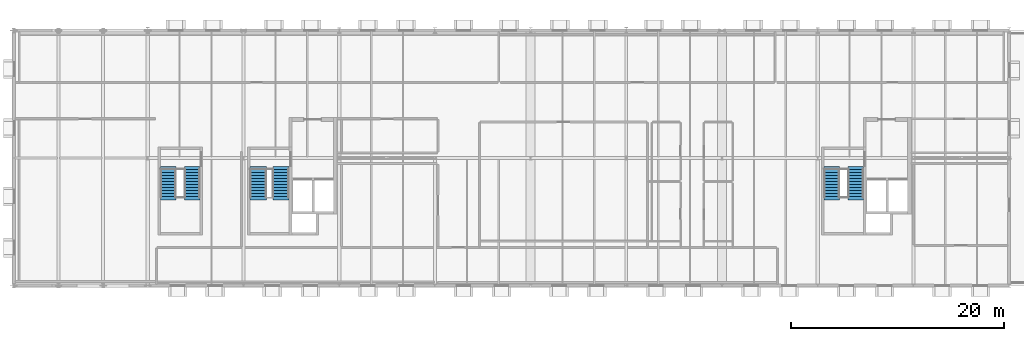
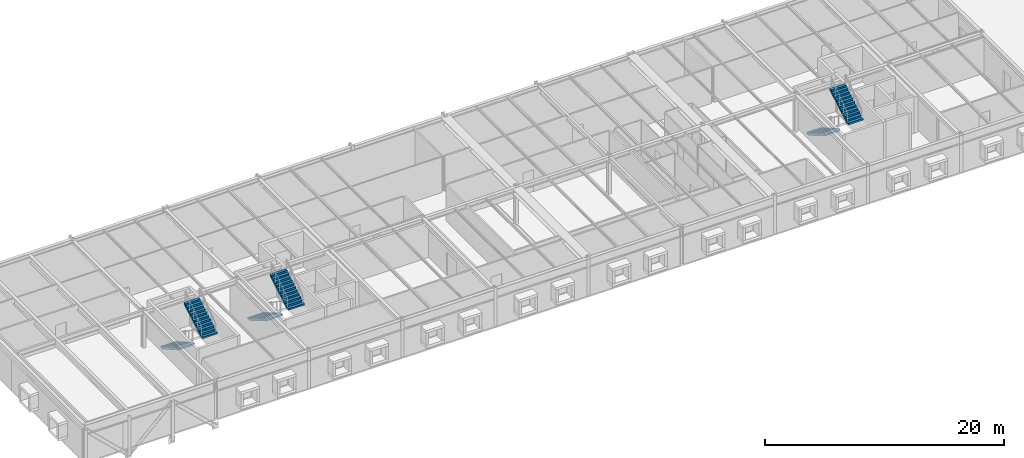
# One storey, part 15 of 17: 6 stair flights, 3 elements without a shape of their own.
"""IFC4 building model written with IfcOpenShell, lengths in metres."""

from ifc_helpers import new_model, si_unit, direction, frame, origin, place, context, subcontext, project, spatial, polyline, outline, extrude, material, type_object, element, aggregate, save


model = new_model("IFC4")

# Units and contexts
model_context = context("Model", 3, precision=1e-05, world=origin(), true_north=direction((0.0, 1.0)))
body_context = subcontext(model_context, "Body", "Model", "MODEL_VIEW")
ifc_project = project(units=[si_unit("LENGTHUNIT", "METRE"), si_unit("AREAUNIT", "SQUARE_METRE"), si_unit("VOLUMEUNIT", "CUBIC_METRE"), si_unit("PLANEANGLEUNIT", "RADIAN"), si_unit("MASSUNIT", "GRAM", prefix="KILO")], contexts=[model_context])

# Site, building, storey
site_placement = place(None, origin())
site = spatial("IfcSite", under=ifc_project, at=site_placement, CompositionType="ELEMENT")
building_placement = place(site_placement, origin())
building = spatial("IfcBuilding", under=site, at=building_placement, Name="Montelvaro Courts of Justice", CompositionType="ELEMENT")
storey_placement = place(building_placement, frame((0.0, 0.0, 27.39990234375)))
storey = spatial("IfcBuildingStorey", under=building, at=storey_placement, Name="L06", CompositionType="ELEMENT", Elevation=27.39990234375)

# Stair, stair flights
ifc_material = material(Name="Concrete C35/45", Category="concrete")
stair_type_1 = type_object("IfcStairType", Name="ProtectedStair_145", PredefinedType="HALF_TURN_STAIR", material=ifc_material)
stair_1_placement = place(storey_placement, origin())
stair_1 = element("IfcStair", 1, at=stair_1_placement, inside=storey, type_object=stair_type_1, Name="Protected Stair ST-K2-L06", PredefinedType="HALF_TURN_STAIR")
stair_flight_type_1 = type_object("IfcStairFlightType", Name="StairFlight_145", PredefinedType="STRAIGHT", material=ifc_material)
stair_flight_1_placement = place(storey_placement, frame((109.324951171875, 11.219970703125, 0.0), z_axis=(0.0, 0.0, 1.0), x_axis=(0.0, -1.0, 0.0)))
stair_flight_1 = element("IfcStairFlight", 2, at=stair_flight_1_placement, type_object=stair_flight_type_1, Name="ST-K2-L06 flight 1", NumberOfRisers=12, NumberOfTreads=11, PredefinedType="STRAIGHT", RiserHeight=0.166666667, TreadLength=0.285, context=body_context, shape_type="SweptSolid", body=[
    extrude(outline(polyline([(0.0, 0.0), (0.0, 0.166748046875), (0.284912109375, 0.166748046875), (0.284912109375, 0.333251953125), (0.570068359375, 0.333251953125), (0.570068359375, 0.5), (0.85498046875, 0.5), (0.85498046875, 0.666748046875), (1.139892578125, 0.666748046875), (1.139892578125, 0.833251953125), (1.425048828125, 0.833251953125), (1.425048828125, 1.0), (1.7099609375, 1.0), (1.7099609375, 1.166748046875), (1.9951171875, 1.166748046875), (1.9951171875, 1.333251953125), (2.280029296875, 1.333251953125), (2.280029296875, 1.5), (2.56494140625, 1.5), (2.56494140625, 1.666748046875), (2.85009765625, 1.666748046875), (2.85009765625, 1.833251953125), (3.135009765625, 1.833251953125), (3.135009765625, 2.0), (3.135009765625, 1.648193359375), (0.31689453125, 0.0), (0.0, 0.0)])), frame((0.0, 0.72509765625, 0.0), z_axis=(0.0, -1.0, 0.0), x_axis=(1.0, 0.0, 0.0)), (0.0, 0.0, 1.0), 1.449951171875),
])
stair_flight_2_placement = place(storey_placement, frame((111.574951171875, 8.0849609375, 2.0), z_axis=(0.0, 0.0, 1.0), x_axis=(0.0, 1.0, 0.0)))
stair_flight_2 = element("IfcStairFlight", 3, at=stair_flight_2_placement, type_object=stair_flight_type_1, Name="ST-K2-L06 flight 2", NumberOfRisers=12, NumberOfTreads=11, PredefinedType="STRAIGHT", RiserHeight=0.166666667, TreadLength=0.285, context=body_context, shape_type="SweptSolid", body=[
    extrude(outline(polyline([(0.0, 0.0), (0.0, 0.166748046875), (0.284912109375, 0.166748046875), (0.284912109375, 0.333251953125), (0.570068359375, 0.333251953125), (0.570068359375, 0.5), (0.85498046875, 0.5), (0.85498046875, 0.666748046875), (1.139892578125, 0.666748046875), (1.139892578125, 0.833251953125), (1.425048828125, 0.833251953125), (1.425048828125, 1.0), (1.7099609375, 1.0), (1.7099609375, 1.166748046875), (1.9951171875, 1.166748046875), (1.9951171875, 1.333251953125), (2.280029296875, 1.333251953125), (2.280029296875, 1.5), (2.56494140625, 1.5), (2.56494140625, 1.666748046875), (2.85009765625, 1.666748046875), (2.85009765625, 1.833251953125), (3.135009765625, 1.833251953125), (3.135009765625, 2.0), (3.135009765625, 1.648193359375), (0.31689453125, 0.0), (0.0, 0.0)])), frame((0.0, 0.72509765625, 0.0), z_axis=(0.0, -1.0, 0.0), x_axis=(1.0, 0.0, 0.0)), (0.0, 0.0, 1.0), 1.449951171875),
])
aggregate(stair_1, [stair_flight_1, stair_flight_2])

stair_2_placement = place(storey_placement, origin())
stair_2 = element("IfcStair", 4, at=stair_2_placement, inside=storey, type_object=stair_type_1, Name="Protected Stair ST-E1-L06", PredefinedType="HALF_TURN_STAIR")
stair_flight_3_placement = place(storey_placement, frame((46.925048828125, 11.219970703125, 0.0), z_axis=(0.0, 0.0, 1.0), x_axis=(0.0, -1.0, 0.0)))
stair_flight_3 = element("IfcStairFlight", 5, at=stair_flight_3_placement, type_object=stair_flight_type_1, Name="ST-E1-L06 flight 1", NumberOfRisers=12, NumberOfTreads=11, PredefinedType="STRAIGHT", RiserHeight=0.166666667, TreadLength=0.285, context=body_context, shape_type="SweptSolid", body=[
    extrude(outline(polyline([(0.0, 0.0), (0.0, 0.166748046875), (0.284912109375, 0.166748046875), (0.284912109375, 0.333251953125), (0.570068359375, 0.333251953125), (0.570068359375, 0.5), (0.85498046875, 0.5), (0.85498046875, 0.666748046875), (1.139892578125, 0.666748046875), (1.139892578125, 0.833251953125), (1.425048828125, 0.833251953125), (1.425048828125, 1.0), (1.7099609375, 1.0), (1.7099609375, 1.166748046875), (1.9951171875, 1.166748046875), (1.9951171875, 1.333251953125), (2.280029296875, 1.333251953125), (2.280029296875, 1.5), (2.56494140625, 1.5), (2.56494140625, 1.666748046875), (2.85009765625, 1.666748046875), (2.85009765625, 1.833251953125), (3.135009765625, 1.833251953125), (3.135009765625, 2.0), (3.135009765625, 1.648193359375), (0.31689453125, 0.0), (0.0, 0.0)])), frame((0.0, 0.72509765625, 0.0), z_axis=(0.0, -1.0, 0.0), x_axis=(1.0, 0.0, 0.0)), (0.0, 0.0, 1.0), 1.449951171875),
])
stair_flight_4_placement = place(storey_placement, frame((49.175048828125, 8.0849609375, 2.0), z_axis=(0.0, 0.0, 1.0), x_axis=(0.0, 1.0, 0.0)))
stair_flight_4 = element("IfcStairFlight", 6, at=stair_flight_4_placement, type_object=stair_flight_type_1, Name="ST-E1-L06 flight 2", NumberOfRisers=12, NumberOfTreads=11, PredefinedType="STRAIGHT", RiserHeight=0.166666667, TreadLength=0.285, context=body_context, shape_type="SweptSolid", body=[
    extrude(outline(polyline([(0.0, 0.0), (0.0, 0.166748046875), (0.284912109375, 0.166748046875), (0.284912109375, 0.333251953125), (0.570068359375, 0.333251953125), (0.570068359375, 0.5), (0.85498046875, 0.5), (0.85498046875, 0.666748046875), (1.139892578125, 0.666748046875), (1.139892578125, 0.833251953125), (1.425048828125, 0.833251953125), (1.425048828125, 1.0), (1.7099609375, 1.0), (1.7099609375, 1.166748046875), (1.9951171875, 1.166748046875), (1.9951171875, 1.333251953125), (2.280029296875, 1.333251953125), (2.280029296875, 1.5), (2.56494140625, 1.5), (2.56494140625, 1.666748046875), (2.85009765625, 1.666748046875), (2.85009765625, 1.833251953125), (3.135009765625, 1.833251953125), (3.135009765625, 2.0), (3.135009765625, 1.648193359375), (0.31689453125, 0.0), (0.0, 0.0)])), frame((0.0, 0.72509765625, 0.0), z_axis=(0.0, -1.0, 0.0), x_axis=(1.0, 0.0, 0.0)), (0.0, 0.0, 1.0), 1.449951171875),
])
aggregate(stair_2, [stair_flight_3, stair_flight_4])

stair_type_2 = type_object("IfcStairType", Name="ProtectedStair_155", PredefinedType="HALF_TURN_STAIR", material=ifc_material)
stair_3_placement = place(storey_placement, origin())
stair_3 = element("IfcStair", 7, at=stair_3_placement, inside=storey, type_object=stair_type_2, Name="Protected Stair ST-K1-L06", PredefinedType="HALF_TURN_STAIR")
stair_flight_type_2 = type_object("IfcStairFlightType", Name="StairFlight_155", PredefinedType="STRAIGHT", material=ifc_material)
stair_flight_5_placement = place(storey_placement, frame((55.375, 11.219970703125, 0.0), z_axis=(0.0, 0.0, 1.0), x_axis=(0.0, -1.0, 0.0)))
stair_flight_5 = element("IfcStairFlight", 8, at=stair_flight_5_placement, type_object=stair_flight_type_2, Name="ST-K1-L06 flight 1", NumberOfRisers=12, NumberOfTreads=11, PredefinedType="STRAIGHT", RiserHeight=0.166666667, TreadLength=0.285, context=body_context, shape_type="SweptSolid", body=[
    extrude(outline(polyline([(0.0, 0.0), (0.0, 0.166748046875), (0.284912109375, 0.166748046875), (0.284912109375, 0.333251953125), (0.570068359375, 0.333251953125), (0.570068359375, 0.5), (0.85498046875, 0.5), (0.85498046875, 0.666748046875), (1.139892578125, 0.666748046875), (1.139892578125, 0.833251953125), (1.425048828125, 0.833251953125), (1.425048828125, 1.0), (1.7099609375, 1.0), (1.7099609375, 1.166748046875), (1.9951171875, 1.166748046875), (1.9951171875, 1.333251953125), (2.280029296875, 1.333251953125), (2.280029296875, 1.5), (2.56494140625, 1.5), (2.56494140625, 1.666748046875), (2.85009765625, 1.666748046875), (2.85009765625, 1.833251953125), (3.135009765625, 1.833251953125), (3.135009765625, 2.0), (3.135009765625, 1.648193359375), (0.31689453125, 0.0), (0.0, 0.0)])), frame((0.0, 0.77490234375, 0.0), z_axis=(0.0, -1.0, 0.0), x_axis=(1.0, 0.0, 0.0)), (0.0, 0.0, 1.0), 1.550048828125),
])
stair_flight_6_placement = place(storey_placement, frame((57.52490234375, 8.0849609375, 2.0), z_axis=(0.0, 0.0, 1.0), x_axis=(0.0, 1.0, 0.0)))
stair_flight_6 = element("IfcStairFlight", 9, at=stair_flight_6_placement, type_object=stair_flight_type_2, Name="ST-K1-L06 flight 2", NumberOfRisers=12, NumberOfTreads=11, PredefinedType="STRAIGHT", RiserHeight=0.166666667, TreadLength=0.285, context=body_context, shape_type="SweptSolid", body=[
    extrude(outline(polyline([(0.0, 0.0), (0.0, 0.166748046875), (0.284912109375, 0.166748046875), (0.284912109375, 0.333251953125), (0.570068359375, 0.333251953125), (0.570068359375, 0.5), (0.85498046875, 0.5), (0.85498046875, 0.666748046875), (1.139892578125, 0.666748046875), (1.139892578125, 0.833251953125), (1.425048828125, 0.833251953125), (1.425048828125, 1.0), (1.7099609375, 1.0), (1.7099609375, 1.166748046875), (1.9951171875, 1.166748046875), (1.9951171875, 1.333251953125), (2.280029296875, 1.333251953125), (2.280029296875, 1.5), (2.56494140625, 1.5), (2.56494140625, 1.666748046875), (2.85009765625, 1.666748046875), (2.85009765625, 1.833251953125), (3.135009765625, 1.833251953125), (3.135009765625, 2.0), (3.135009765625, 1.648193359375), (0.31689453125, 0.0), (0.0, 0.0)])), frame((0.0, 0.77490234375, 0.0), z_axis=(0.0, -1.0, 0.0), x_axis=(1.0, 0.0, 0.0)), (0.0, 0.0, 1.0), 1.550048828125),
])
aggregate(stair_3, [stair_flight_5, stair_flight_6])

save(model, "model.ifc")
